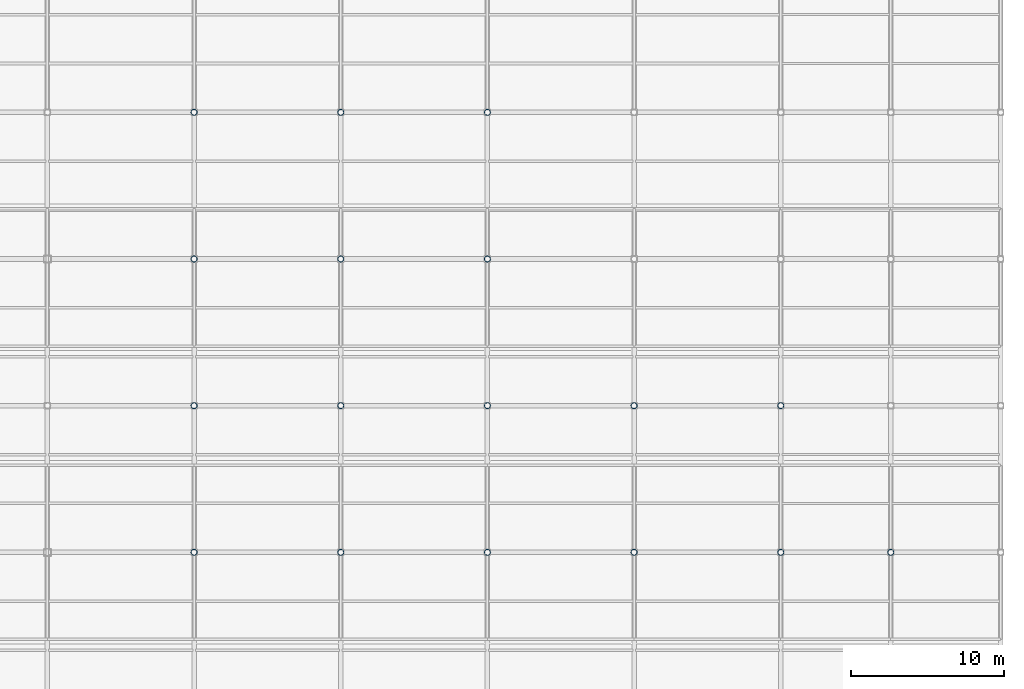
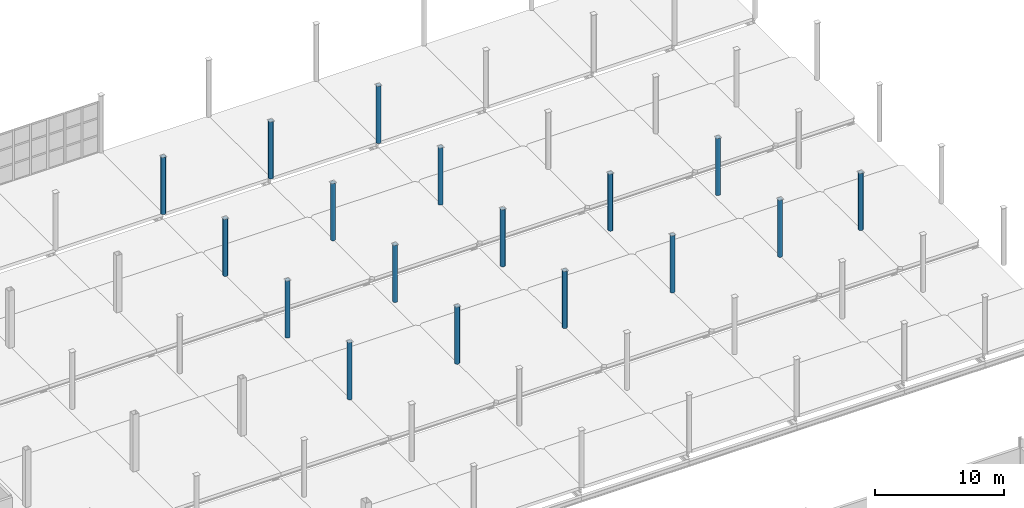
# One storey, part 20 of 85: 17 columns.
"""IFC4 building model written with IfcOpenShell, lengths in metres."""

from ifc_helpers import new_model, si_unit, direction, frame, origin, origin_2d, place, context, subcontext, project, spatial, hollow_circle, extrude, material, material_profile, profile_set, type_object, element, save


model = new_model("IFC4")

# Units and contexts
model_context = context("Model", 3, precision=1e-05, world=origin(), true_north=direction((0.0, 1.0)))
body_context = subcontext(model_context, "Body", "Model", "MODEL_VIEW")
ifc_project = project(units=[si_unit("LENGTHUNIT", "METRE"), si_unit("AREAUNIT", "SQUARE_METRE"), si_unit("VOLUMEUNIT", "CUBIC_METRE"), si_unit("PLANEANGLEUNIT", "RADIAN"), si_unit("MASSUNIT", "GRAM", prefix="KILO")], contexts=[model_context])

# Site, building, storey
site_placement = place(None, origin())
site = spatial("IfcSite", under=ifc_project, at=site_placement, CompositionType="ELEMENT")
building_placement = place(site_placement, origin())
building = spatial("IfcBuilding", under=site, at=building_placement, Name="Zarnetskaya Central Station", CompositionType="ELEMENT")
storey_placement = place(building_placement, origin())
storey = spatial("IfcBuildingStorey", under=building, at=storey_placement, Name="L00", CompositionType="ELEMENT", Elevation=0.0)

# Columns
ifc_material = material(Name="Steel S355", Category="steel")
ifc_material_profile = material_profile(ifc_material, hollow_circle(Radius=0.203125, WallThickness=0.02001953125, at=origin_2d()), Name="CHS 406.4x20")
ifc_profile_set = profile_set([ifc_material_profile], Name="Steel S355")
column_type = type_object("IfcColumnType", Name="COL-V1-PCAN", PredefinedType="COLUMN", material=ifc_profile_set)
for number, where, z_axis, x_axis, name in (
    (1, (134.39990234375, 86.39990234375, 0.0), (0.0, 0.0, 1.0), (1.0, 0.0, 0.0), "Column Q11 L00"),
    (2, (134.39990234375, 96.0, 0.0), (0.0, 0.0, 1.0), (1.0, 0.0, 0.0), "Column Q12 L00"),
    (3, (134.39990234375, 105.60009765625, 0.0), (0.0, 0.0, 1.0), (1.0, 0.0, 0.0), "Column Q13 L00"),
    (4, (134.39990234375, 115.199951171875, 0.0), (0.0, 0.0, 1.0), (1.0, 0.0, 0.0), "Column Q14 L00"),
    (5, (144.0, 86.39990234375, 0.0), (0.0, 0.0, 1.0), (1.0, 0.0, 0.0), "Column R11 L00"),
    (6, (144.0, 96.0, 0.0), (0.0, 0.0, 1.0), (1.0, 0.0, 0.0), "Column R12 L00"),
    (7, (144.0, 105.60009765625, 0.0), (0.0, 0.0, 1.0), (1.0, 0.0, 0.0), "Column R13 L00"),
    (8, (144.0, 115.199951171875, 0.0), (0.0, 0.0, 1.0), (1.0, 0.0, 0.0), "Column R14 L00"),
    (9, (153.60009765625, 86.39990234375, 0.0), (0.0, 0.0, 1.0), (1.0, 0.0, 0.0), "Column S11 L00"),
    (10, (153.60009765625, 96.0, 0.0), (0.0, 0.0, 1.0), (1.0, 0.0, 0.0), "Column S12 L00"),
    (11, (153.60009765625, 105.60009765625, 0.0), (0.0, 0.0, 1.0), (1.0, 0.0, 0.0), "Column S13 L00"),
    (12, (153.60009765625, 115.199951171875, 0.0), (0.0, 0.0, 1.0), (1.0, 0.0, 0.0), "Column S14 L00"),
    (13, (163.199951171875, 86.39990234375, 0.0), (0.0, 0.0, 1.0), (1.0, 0.0, 0.0), "Column T11 L00"),
    (14, (163.199951171875, 96.0, 0.0), (0.0, 0.0, 1.0), (1.0, 0.0, 0.0), "Column T12 L00"),
    (15, (172.800048828125, 86.39990234375, 0.0), (0.0, 0.0, 1.0), (1.0, 0.0, 0.0), "Column U11 L00"),
    (16, (172.800048828125, 96.0, 0.0), (0.0, 0.0, 1.0), (1.0, 0.0, 0.0), "Column U12 L00"),
    (17, (180.0, 86.39990234375, 0.0), (0.0, 0.0, 1.0), (1.0, 0.0, 0.0), "Column V11 L00"),
):
    element("IfcColumn", number, at=place(storey_placement, frame(where, z_axis=z_axis, x_axis=x_axis)), inside=storey, type_object=column_type, Name=name, PredefinedType="COLUMN", context=body_context, shape_type="SweptSolid", body=[
        extrude(hollow_circle(Radius=0.203125, WallThickness=0.02001953125, at=origin_2d()), origin(), (0.0, 0.0, 1.0), 5.387939453125),
    ])

save(model, "model.ifc")
